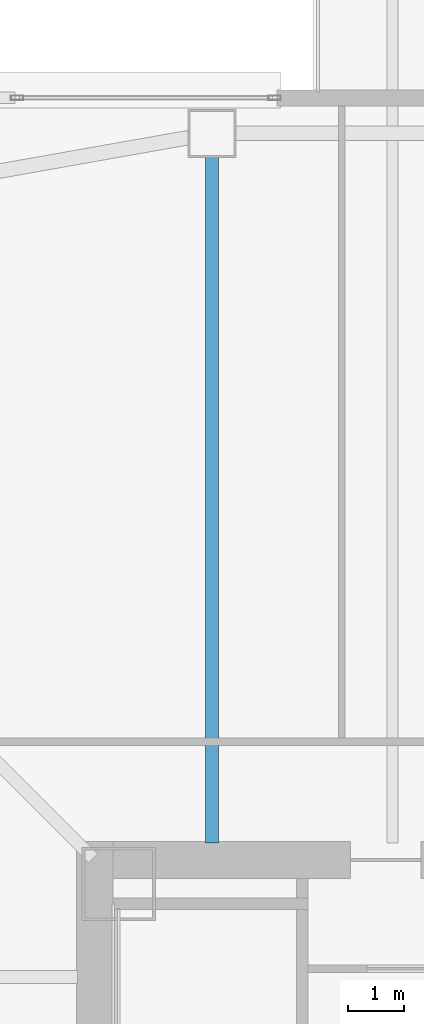
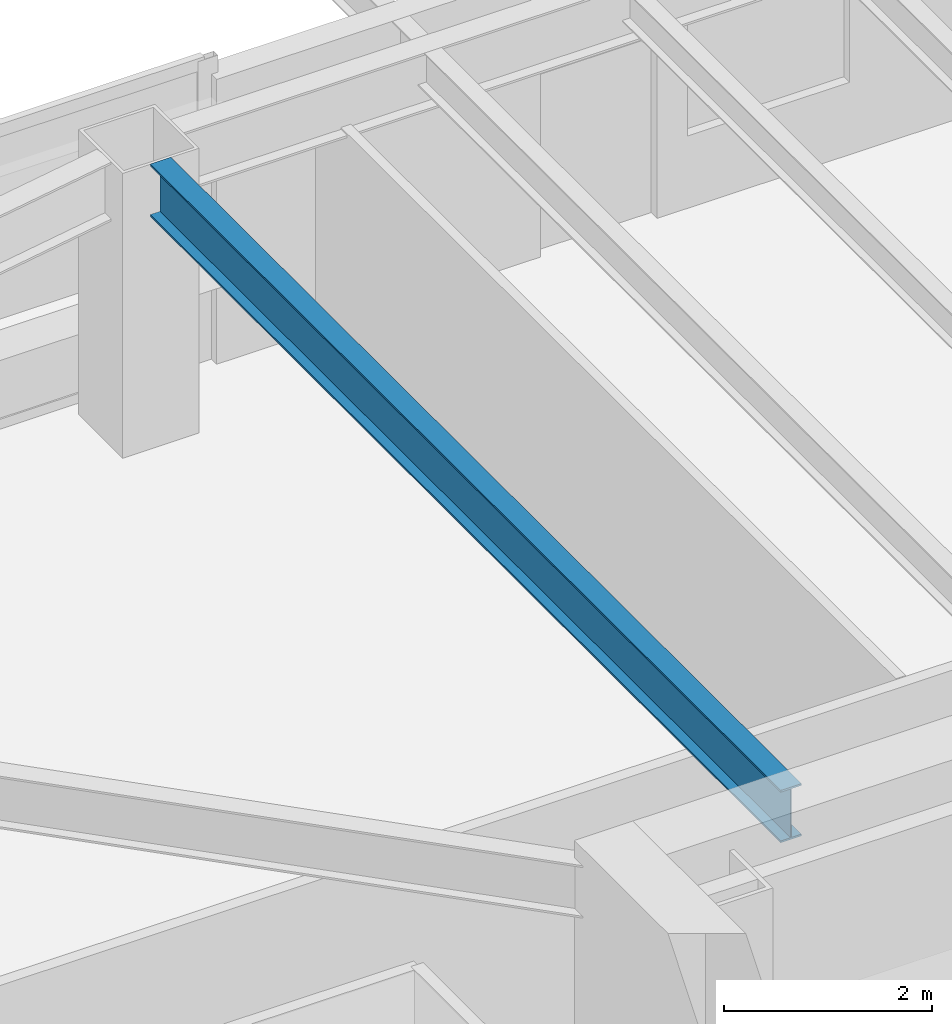
# One storey, part 13 of 48: 1 beam.
"""IFC4 building model written with IfcOpenShell, lengths in metres."""

from ifc_helpers import new_model, si_unit, direction, frame, origin, origin_2d, place, context, subcontext, project, spatial, i_section, extrude, material, material_profile, profile_set, type_object, element, save


model = new_model("IFC4")

# Units and contexts
model_context = context("Model", 3, precision=1e-05, world=origin(), true_north=direction((0.0, 1.0)))
body_context = subcontext(model_context, "Body", "Model", "MODEL_VIEW")
ifc_project = project(units=[si_unit("LENGTHUNIT", "METRE"), si_unit("AREAUNIT", "SQUARE_METRE"), si_unit("VOLUMEUNIT", "CUBIC_METRE"), si_unit("PLANEANGLEUNIT", "RADIAN"), si_unit("MASSUNIT", "GRAM", prefix="KILO")], contexts=[model_context])

# Site, building, storey
site_placement = place(None, origin())
site = spatial("IfcSite", under=ifc_project, at=site_placement, CompositionType="ELEMENT")
building_placement = place(site_placement, origin())
building = spatial("IfcBuilding", under=site, at=building_placement, Name="Tashvorn Skyway Center", CompositionType="ELEMENT")
storey_placement = place(building_placement, frame((0.0, 0.0, 77.85009765625)))
storey = spatial("IfcBuildingStorey", under=building, at=storey_placement, Name="L20", CompositionType="ELEMENT", Elevation=77.85009765625)

# Beam
ifc_material = material(Name="Steel ASTM A992 Grade 50", Category="steel")
ifc_material_profile = material_profile(ifc_material, i_section(OverallWidth=0.22998046875, OverallDepth=0.616943359375, WebThickness=0.01318359375, FlangeThickness=0.022216796875, at=origin_2d()), Name="W24X94")
ifc_profile_set = profile_set([ifc_material_profile], Name="Steel ASTM A992 Grade 50")
beam_type = type_object("IfcBeamType", Name="BM-BEAM-W24X94", PredefinedType="BEAM", material=ifc_profile_set)
beam_placement = place(storey_placement, frame((36.60009765625, 51.929931640625, 3.04150390625), z_axis=(0.0, -1.0, 0.0), x_axis=(1.0, 0.0, 0.0)))
element("IfcBeam", 1, at=beam_placement, inside=storey, type_object=beam_type, Name="Tower 1 L20 Primary Floor Girder FC-N2", PredefinedType="BEAM", context=body_context, shape_type="SweptSolid", body=[
    extrude(i_section(OverallWidth=0.22998046875, OverallDepth=0.616943359375, WebThickness=0.01318359375, FlangeThickness=0.022216796875, at=origin_2d()), origin(), (0.0, 0.0, 1.0), 12.14990234375),
])

save(model, "model.ifc")
